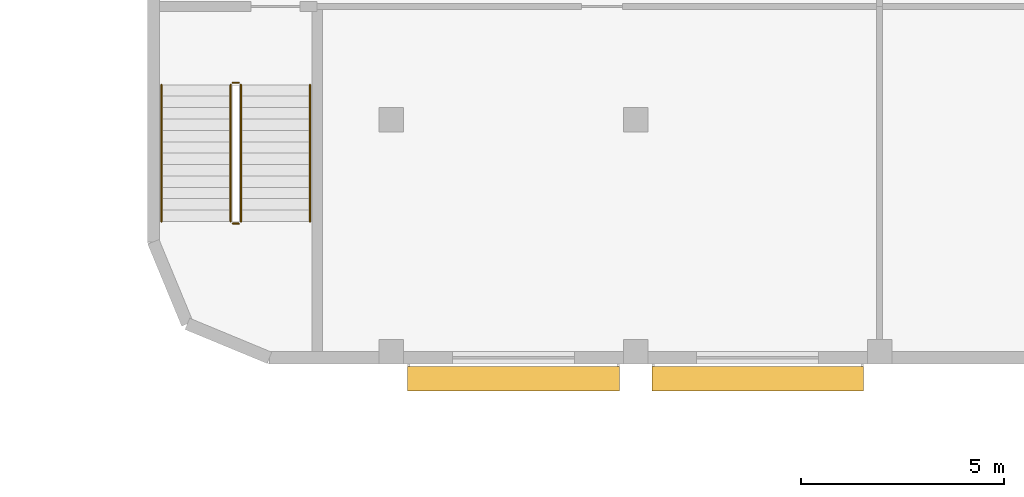
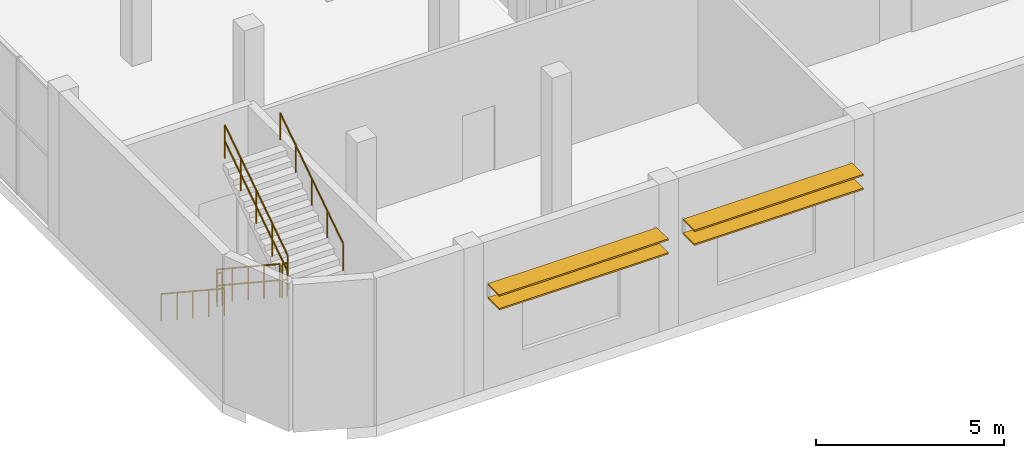
# One storey, part 40 of 45: 6 railings, 4 shading devices.
"""IFC4 building model written with IfcOpenShell, lengths in metres."""

from ifc_helpers import new_model, si_unit, direction, frame, origin, origin_2d, place, context, subcontext, project, spatial, rectangle, circle, extrude, material, material_profile, profile_set, type_object, element, save


model = new_model("IFC4")

# Units and contexts
model_context = context("Model", 3, precision=1e-05, world=origin(), true_north=direction((0.0, 1.0)))
body_context = subcontext(model_context, "Body", "Model", "MODEL_VIEW")
ifc_project = project(units=[si_unit("LENGTHUNIT", "METRE"), si_unit("AREAUNIT", "SQUARE_METRE"), si_unit("VOLUMEUNIT", "CUBIC_METRE"), si_unit("PLANEANGLEUNIT", "RADIAN"), si_unit("MASSUNIT", "GRAM", prefix="KILO")], contexts=[model_context])

# Site, building, storey
site_placement = place(None, origin())
site = spatial("IfcSite", under=ifc_project, at=site_placement, CompositionType="ELEMENT")
building_placement = place(site_placement, origin())
building = spatial("IfcBuilding", under=site, at=building_placement, Name="Nakaniwa Court", CompositionType="ELEMENT")
storey_placement = place(building_placement, frame((0.0, 0.0, 6.60009765625)))
storey = spatial("IfcBuildingStorey", under=building, at=storey_placement, Name="L01", CompositionType="ELEMENT", Elevation=6.60009765625)

# Railings
ifc_material_1 = material(Name="Black powder-coated steel flat bar balustrade S275", Category="steel")
railing_type_1 = type_object("IfcRailingType", Name="Hall guard 1100", PredefinedType="GUARDRAIL", material=ifc_material_1)
railing_1_placement = place(storey_placement, frame((154.050048828125, 62.860107421875, 0.1845703125)))
element("IfcRailing", 1, at=railing_1_placement, inside=storey, type_object=railing_type_1, Name="L01 ST-H1 stair guard 1", PredefinedType="GUARDRAIL", context=body_context, shape_type="SweptSolid", body=[
    extrude(circle(Radius=0.02392578125, at=origin_2d()), frame((0.0, 0.0, 1.076171875), z_axis=(0.0, -0.834876476806, 0.550437342915), x_axis=(1.0, 0.0, 0.0)), (0.0, 0.0, 1.0), 4.024658203125),
    extrude(circle(Radius=0.02392578125, at=origin_2d()), frame((0.0, 0.0, 0.550048828125), z_axis=(0.0, -0.834876476806, 0.550437342915), x_axis=(1.0, 0.0, 0.0)), (0.0, 0.0, 1.0), 4.024658203125),
    extrude(circle(Radius=0.02099609375, at=origin_2d()), origin(), (0.0, 0.0, 1.0), 1.052001953125),
    extrude(circle(Radius=0.02099609375, at=origin_2d()), frame((0.0, -0.840087890625, 0.5537109375)), (0.0, 0.0, 1.0), 1.052001953125),
    extrude(circle(Radius=0.02099609375, at=origin_2d()), frame((0.0, -1.68017578125, 1.107666015625)), (0.0, 0.0, 1.0), 1.052001953125),
    extrude(circle(Radius=0.02099609375, at=origin_2d()), frame((0.0, -2.52001953125, 1.66162109375)), (0.0, 0.0, 1.0), 1.052001953125),
    extrude(circle(Radius=0.02099609375, at=origin_2d()), frame((0.0, -3.360107421875, 2.21533203125)), (0.0, 0.0, 1.0), 1.052001953125),
])
railing_2_placement = place(storey_placement, frame((154.10009765625, 59.449951171875, 2.39990234375)))
element("IfcRailing", 2, at=railing_2_placement, inside=storey, type_object=railing_type_1, Name="L01 ST-H1 stair guard 2", PredefinedType="GUARDRAIL", context=body_context, shape_type="SweptSolid", body=[
    extrude(circle(Radius=0.02392578125, at=origin_2d()), frame((0.0, 0.0, 1.076171875), z_axis=(1.0, 0.0, 0.0), x_axis=(0.0, 1.0, 0.0)), (0.0, 0.0, 1.0), 0.14990234375),
    extrude(circle(Radius=0.02392578125, at=origin_2d()), frame((0.0, 0.0, 0.550048828125), z_axis=(1.0, 0.0, 0.0), x_axis=(0.0, 1.0, 0.0)), (0.0, 0.0, 1.0), 0.14990234375),
    extrude(circle(Radius=0.02099609375, at=origin_2d()), origin(), (0.0, 0.0, 1.0), 1.052001953125),
    extrude(circle(Radius=0.02099609375, at=origin_2d()), frame((0.14990234375, 0.0, 0.0)), (0.0, 0.0, 1.0), 1.052001953125),
])
railing_3_placement = place(storey_placement, frame((154.300048828125, 59.5, 2.58447265625)))
element("IfcRailing", 3, at=railing_3_placement, inside=storey, type_object=railing_type_1, Name="L01 ST-H1 stair guard 3", PredefinedType="GUARDRAIL", context=body_context, shape_type="SweptSolid", body=[
    extrude(circle(Radius=0.02392578125, at=origin_2d()), frame((0.0, 0.0, 1.076171875), z_axis=(0.0, 0.834876476806, 0.550437342915), x_axis=(-1.0, 0.0, 0.0)), (0.0, 0.0, 1.0), 4.024658203125),
    extrude(circle(Radius=0.02392578125, at=origin_2d()), frame((0.0, 0.0, 0.550048828125), z_axis=(0.0, 0.834876476806, 0.550437342915), x_axis=(-1.0, 0.0, 0.0)), (0.0, 0.0, 1.0), 4.024658203125),
    extrude(circle(Radius=0.02099609375, at=origin_2d()), origin(), (0.0, 0.0, 1.0), 1.052001953125),
    extrude(circle(Radius=0.02099609375, at=origin_2d()), frame((0.0, 0.840087890625, 0.5537109375)), (0.0, 0.0, 1.0), 1.052001953125),
    extrude(circle(Radius=0.02099609375, at=origin_2d()), frame((0.0, 1.68017578125, 1.107666015625)), (0.0, 0.0, 1.0), 1.052001953125),
    extrude(circle(Radius=0.02099609375, at=origin_2d()), frame((0.0, 2.52001953125, 1.66162109375)), (0.0, 0.0, 1.0), 1.052001953125),
    extrude(circle(Radius=0.02099609375, at=origin_2d()), frame((0.0, 3.360107421875, 2.21533203125)), (0.0, 0.0, 1.0), 1.052001953125),
])
railing_4_placement = place(storey_placement, frame((154.10009765625, 62.909912109375, 0.0)))
element("IfcRailing", 4, at=railing_4_placement, inside=storey, type_object=railing_type_1, Name="L01 ST-H1 stair guard 4", PredefinedType="GUARDRAIL", context=body_context, shape_type="SweptSolid", body=[
    extrude(circle(Radius=0.02392578125, at=origin_2d()), frame((0.0, 0.0, 1.076171875), z_axis=(1.0, 0.0, 0.0), x_axis=(0.0, 1.0, 0.0)), (0.0, 0.0, 1.0), 0.14990234375),
    extrude(circle(Radius=0.02392578125, at=origin_2d()), frame((0.0, 0.0, 0.550048828125), z_axis=(1.0, 0.0, 0.0), x_axis=(0.0, 1.0, 0.0)), (0.0, 0.0, 1.0), 0.14990234375),
    extrude(circle(Radius=0.02099609375, at=origin_2d()), origin(), (0.0, 0.0, 1.0), 1.052001953125),
    extrude(circle(Radius=0.02099609375, at=origin_2d()), frame((0.14990234375, 0.0, 0.0)), (0.0, 0.0, 1.0), 1.052001953125),
])

# Shading devices
ifc_material_2 = material(Name="Perforated charcoal ceramic louvre blade")
ifc_material_profile = material_profile(ifc_material_2, rectangle(XDim=0.60009765625, YDim=0.050048828125, at=origin_2d()), Name="Hall perforated ceramic louvre blade")
ifc_profile_set = profile_set([ifc_material_profile], Name="Perforated charcoal ceramic louvre blade")
shading_device_type = type_object("IfcShadingDeviceType", Name="Hall perforated ceramic louvre blade", PredefinedType="JALOUSIE", material=ifc_profile_set)
for number, where, z_axis, x_axis, name in (
    (5, (169.60009765625, 55.639892578125, 3.0), (-1.0, 0.0, 0.0), (0.0, -1.0, 0.0), "Louvre blade L01 039.1"),
    (6, (169.60009765625, 55.639892578125, 3.449951171875), (-1.0, 0.0, 0.0), (0.0, -1.0, 0.0), "Louvre blade L01 039.2"),
    (7, (163.60009765625, 55.639892578125, 3.0), (-1.0, 0.0, 0.0), (0.0, -1.0, 0.0), "Louvre blade L01 040.1"),
    (8, (163.60009765625, 55.639892578125, 3.449951171875), (-1.0, 0.0, 0.0), (0.0, -1.0, 0.0), "Louvre blade L01 040.2"),
):
    element("IfcShadingDevice", number, at=place(storey_placement, frame(where, z_axis=z_axis, x_axis=x_axis)), inside=storey, type_object=shading_device_type, Name=name, PredefinedType="JALOUSIE", context=body_context, shape_type="SweptSolid", body=[
        extrude(rectangle(XDim=0.60009765625, YDim=0.050048828125, at=origin_2d()), origin(), (0.0, 0.0, 1.0), 5.2001953125),
    ])

# Railings
ifc_material_3 = material(Name="Brushed stainless steel handrail Grade 304", Category="steel")
railing_type_2 = type_object("IfcRailingType", Name="Hall stair handrail 900", PredefinedType="HANDRAIL", material=ifc_material_3)
railing_5_placement = place(storey_placement, frame((152.35009765625, 62.860107421875, 0.1845703125)))
element("IfcRailing", 9, at=railing_5_placement, inside=storey, type_object=railing_type_2, Name="L01 ST-H1 stair handrail 1", PredefinedType="HANDRAIL", context=body_context, shape_type="SweptSolid", body=[
    extrude(circle(Radius=0.02392578125, at=origin_2d()), frame((0.0, 0.0, 0.8759765625), z_axis=(0.0, -0.834876476806, 0.550437342915), x_axis=(1.0, 0.0, 0.0)), (0.0, 0.0, 1.0), 4.024658203125),
    extrude(circle(Radius=0.02099609375, at=origin_2d()), origin(), (0.0, 0.0, 1.0), 0.851806640625),
    extrude(circle(Radius=0.02099609375, at=origin_2d()), frame((0.0, -0.840087890625, 0.5537109375)), (0.0, 0.0, 1.0), 0.851806640625),
    extrude(circle(Radius=0.02099609375, at=origin_2d()), frame((0.0, -1.68017578125, 1.107666015625)), (0.0, 0.0, 1.0), 0.851806640625),
    extrude(circle(Radius=0.02099609375, at=origin_2d()), frame((0.0, -2.52001953125, 1.66162109375)), (0.0, 0.0, 1.0), 0.851806640625),
    extrude(circle(Radius=0.02099609375, at=origin_2d()), frame((0.0, -3.360107421875, 2.21533203125)), (0.0, 0.0, 1.0), 0.851806640625),
])
railing_6_placement = place(storey_placement, frame((156.0, 59.5, 2.58447265625)))
element("IfcRailing", 10, at=railing_6_placement, inside=storey, type_object=railing_type_2, Name="L01 ST-H1 stair handrail 2", PredefinedType="HANDRAIL", context=body_context, shape_type="SweptSolid", body=[
    extrude(circle(Radius=0.02392578125, at=origin_2d()), frame((0.0, 0.0, 0.8759765625), z_axis=(0.0, 0.834876476806, 0.550437342915), x_axis=(-1.0, 0.0, 0.0)), (0.0, 0.0, 1.0), 4.024658203125),
    extrude(circle(Radius=0.02099609375, at=origin_2d()), origin(), (0.0, 0.0, 1.0), 0.851806640625),
    extrude(circle(Radius=0.02099609375, at=origin_2d()), frame((0.0, 0.840087890625, 0.5537109375)), (0.0, 0.0, 1.0), 0.851806640625),
    extrude(circle(Radius=0.02099609375, at=origin_2d()), frame((0.0, 1.68017578125, 1.107666015625)), (0.0, 0.0, 1.0), 0.851806640625),
    extrude(circle(Radius=0.02099609375, at=origin_2d()), frame((0.0, 2.52001953125, 1.66162109375)), (0.0, 0.0, 1.0), 0.851806640625),
    extrude(circle(Radius=0.02099609375, at=origin_2d()), frame((0.0, 3.360107421875, 2.21533203125)), (0.0, 0.0, 1.0), 0.851806640625),
])

save(model, "model.ifc")
